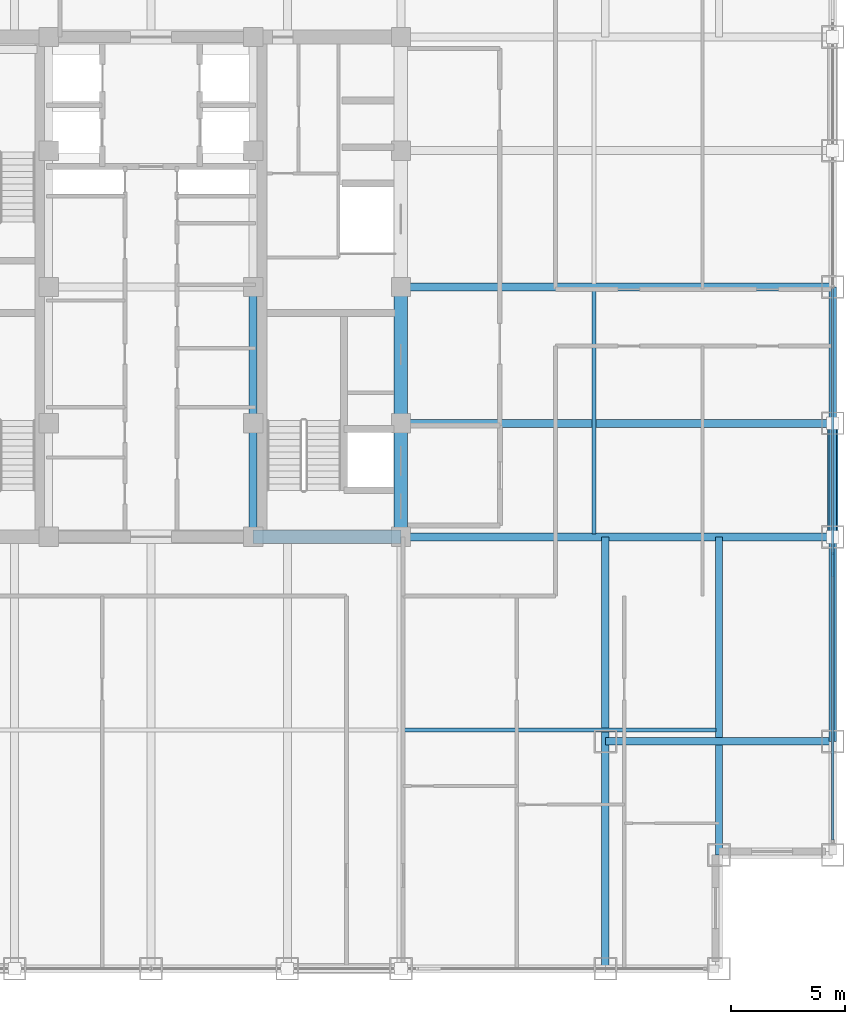
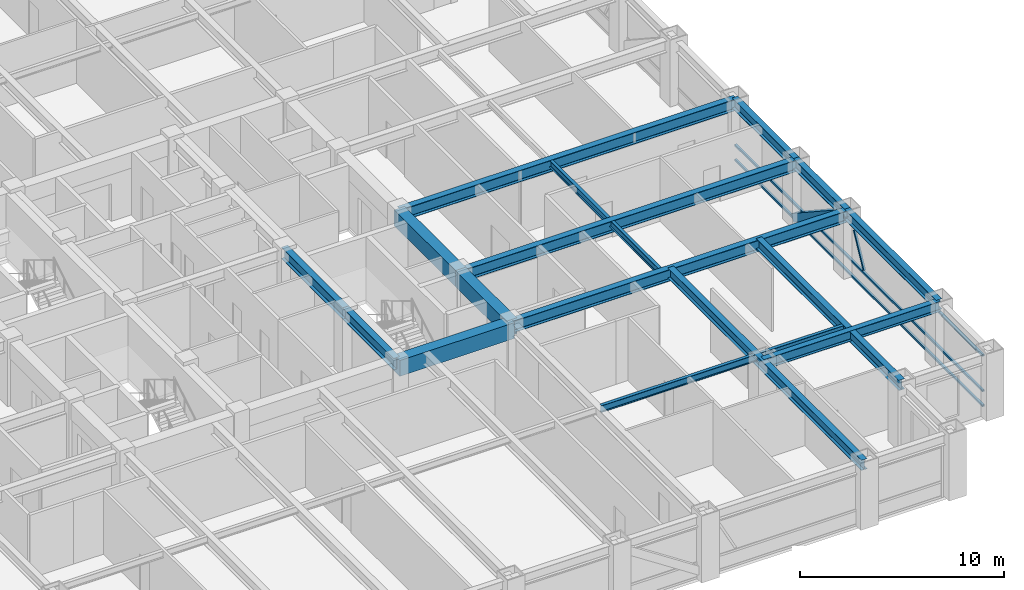
# One storey, part 9 of 25: 16 beams, 5 members, 1 element without a shape of its own.
"""IFC4 building model written with IfcOpenShell, lengths in metres."""

from ifc_helpers import new_model, si_unit, direction, frame, origin, origin_2d, place, context, subcontext, project, spatial, rectangle, hollow_rectangle, i_section, extrude, source, transform, mapped, material, material_profile, profile_set, type_object, element, aggregate, save


model = new_model("IFC4")

# Units and contexts
model_context = context("Model", 3, precision=1e-05, world=origin(), true_north=direction((0.0, 1.0)))
body_context = subcontext(model_context, "Body", "Model", "MODEL_VIEW")
ifc_project = project(units=[si_unit("LENGTHUNIT", "METRE"), si_unit("AREAUNIT", "SQUARE_METRE"), si_unit("VOLUMEUNIT", "CUBIC_METRE"), si_unit("PLANEANGLEUNIT", "RADIAN"), si_unit("MASSUNIT", "GRAM", prefix="KILO")], contexts=[model_context])

# Site, building, storey
site_placement = place(None, origin())
site = spatial("IfcSite", under=ifc_project, at=site_placement, CompositionType="ELEMENT")
building_placement = place(site_placement, origin())
building = spatial("IfcBuilding", under=site, at=building_placement, Name="Khorayat Bourse Tower", CompositionType="ELEMENT")
storey_placement = place(building_placement, frame((0.0, 0.0, 247.10009765625)))
storey = spatial("IfcBuildingStorey", under=building, at=storey_placement, Name="L58", CompositionType="ELEMENT", Elevation=247.10009765625)

# Beams
ifc_material_1 = material(Name="Steel ASTM A992 Grade 50", Category="steel")
ifc_material_profile_1 = material_profile(ifc_material_1, i_section(OverallWidth=0.35498046875, OverallDepth=0.695068359375, WebThickness=0.015380859375, FlangeThickness=0.02490234375, FilletRadius=0.01806640625, at=origin_2d()), Name="W690X217")
ifc_profile_set_1 = profile_set([ifc_material_profile_1], Name="Steel ASTM A992 Grade 50")
beam_type_1 = type_object("IfcBeamType", Name="BM-GIRD-690", PredefinedType="BEAM", material=ifc_profile_set_1)
shared_shape_1 = source(origin(), body_context, "Body", "SweptSolid", [
    extrude(i_section(OverallWidth=0.35498046875, OverallDepth=0.695068359375, WebThickness=0.015380859375, FlangeThickness=0.02490234375, FilletRadius=0.01806640625, at=origin_2d()), origin(), (0.0, 0.0, 1.0), 5.0),
])
beam_1_placement = place(storey_placement, frame((4.5, -11.0, 3.432373046875), z_axis=(0.0, 1.0, 0.0), x_axis=(-1.0, 0.0, 0.0)))
element("IfcBeam", 1, at=beam_1_placement, inside=storey, type_object=beam_type_1, Name="L58 BM-GIRD-690 BM-L58-CRX-09", PredefinedType="BEAM", context=body_context, shape_type="MappedRepresentation", body=[
    mapped(shared_shape_1, transform((0.0, 0.0, 0.0), scale=1.0)),
])
shared_shape_2 = source(origin(), body_context, "Body", "SweptSolid", [
    extrude(i_section(OverallWidth=0.35498046875, OverallDepth=0.695068359375, WebThickness=0.015380859375, FlangeThickness=0.02490234375, FilletRadius=0.01806640625, at=origin_2d()), origin(), (0.0, 0.0, 1.0), 6.0),
])
beam_2_placement = place(storey_placement, frame((4.5, -6.0, 3.432373046875), z_axis=(0.0, 1.0, 0.0), x_axis=(-1.0, 0.0, 0.0)))
element("IfcBeam", 2, at=beam_2_placement, inside=storey, type_object=beam_type_1, Name="L58 BM-GIRD-690 BM-L58-CRX-10", PredefinedType="BEAM", context=body_context, shape_type="MappedRepresentation", body=[
    mapped(shared_shape_2, transform((0.0, 0.0, 0.0), scale=1.0)),
])
ifc_material_profile_2 = material_profile(ifc_material_1, i_section(OverallWidth=0.324951171875, OverallDepth=0.615966796875, WebThickness=0.013916015625, FlangeThickness=0.021484375, FilletRadius=0.01611328125, at=origin_2d()), Name="W610X174")
ifc_profile_set_2 = profile_set([ifc_material_profile_2], Name="Steel ASTM A992 Grade 50")
beam_type_2 = type_object("IfcBeamType", Name="BM-GIRD-610", PredefinedType="BEAM", material=ifc_profile_set_2)
shared_shape_3 = source(origin(), body_context, "Body", "SweptSolid", [
    extrude(i_section(OverallWidth=0.324951171875, OverallDepth=0.615966796875, WebThickness=0.013916015625, FlangeThickness=0.021484375, FilletRadius=0.01611328125, at=origin_2d()), origin(), (0.0, 0.0, 1.0), 19.0),
])
beam_3_placement = place(storey_placement, frame((20.0, -30.0, 3.471923828125), z_axis=(0.0, 1.0, 0.0), x_axis=(-1.0, 0.0, 0.0)))
element("IfcBeam", 3, at=beam_3_placement, inside=storey, type_object=beam_type_2, Name="L58 BM-GIRD-610 BM-L58-CNRY-086", PredefinedType="BEAM", context=body_context, shape_type="MappedRepresentation", body=[
    mapped(shared_shape_3, transform((0.0, 0.0, 0.0), scale=1.0)),
])
shared_shape_4 = source(origin(), body_context, "Body", "SweptSolid", [
    extrude(i_section(OverallWidth=0.324951171875, OverallDepth=0.615966796875, WebThickness=0.013916015625, FlangeThickness=0.021484375, FilletRadius=0.01611328125, at=origin_2d()), origin(), (0.0, 0.0, 1.0), 10.0),
])
beam_4_placement = place(storey_placement, frame((20.0, -20.0, 3.471923828125), z_axis=(1.0, 0.0, 0.0), x_axis=(0.0, 1.0, 0.0)))
element("IfcBeam", 4, at=beam_4_placement, inside=storey, type_object=beam_type_2, Name="L58 BM-GIRD-610 BM-L58-CNRX-092", PredefinedType="BEAM", context=body_context, shape_type="MappedRepresentation", body=[
    mapped(shared_shape_4, transform((0.0, 0.0, 0.0), scale=1.0)),
])
ifc_material_profile_3 = material_profile(ifc_material_1, i_section(OverallWidth=0.180908203125, OverallDepth=0.4169921875, WebThickness=0.010986328125, FlangeThickness=0.018310546875, FilletRadius=0.011962890625, at=origin_2d()), Name="W410X85")
ifc_profile_set_3 = profile_set([ifc_material_profile_3], Name="Steel ASTM A992 Grade 50")
beam_type_3 = type_object("IfcBeamType", Name="BM-JOIST-410", PredefinedType="JOIST", material=ifc_profile_set_3)
shared_shape_5 = source(origin(), body_context, "Body", "SweptSolid", [
    extrude(i_section(OverallWidth=0.180908203125, OverallDepth=0.4169921875, WebThickness=0.010986328125, FlangeThickness=0.018310546875, FilletRadius=0.011962890625, at=origin_2d()), origin(), (0.0, 0.0, 1.0), 10.740234375),
])
beam_5_placement = place(storey_placement, frame((19.5, -10.8701171875, 3.5712890625), z_axis=(0.0, 1.0, 0.0), x_axis=(-1.0, 0.0, 0.0)))
element("IfcBeam", 5, at=beam_5_placement, inside=storey, type_object=beam_type_3, Name="L58 BM-JOIST-410 BM-L58-JSTY-104", PredefinedType="JOIST", context=body_context, shape_type="MappedRepresentation", body=[
    mapped(shared_shape_5, transform((0.0, 0.0, 0.0), scale=1.0)),
])
ifc_material_profile_4 = material_profile(ifc_material_1, i_section(OverallWidth=0.324951171875, OverallDepth=0.615966796875, WebThickness=0.013916015625, FlangeThickness=0.021484375, FilletRadius=0.01611328125, at=origin_2d()), Name="W610X174")
ifc_profile_set_4 = profile_set([ifc_material_profile_4], Name="Steel ASTM A992 Grade 50")
beam_type_4 = type_object("IfcBeamType", Name="BM-SPAN-610", PredefinedType="SPANDREL", material=ifc_profile_set_4)
shared_shape_6 = source(origin(), body_context, "Body", "SweptSolid", [
    extrude(i_section(OverallWidth=0.324951171875, OverallDepth=0.615966796875, WebThickness=0.013916015625, FlangeThickness=0.021484375, FilletRadius=0.01611328125, at=origin_2d()), origin(), (0.0, 0.0, 1.0), 9.0),
])
beam_6_placement = place(storey_placement, frame((30.0, -20.0, 3.471923828125), z_axis=(0.0, 1.0, 0.0), x_axis=(-1.0, 0.0, 0.0)))
element("IfcBeam", 6, at=beam_6_placement, inside=storey, type_object=beam_type_4, Name="L58 BM-SPAN-610 BM-L58-SPN-035", PredefinedType="SPANDREL", context=body_context, shape_type="MappedRepresentation", body=[
    mapped(shared_shape_6, transform((0.0, 0.0, 0.0), scale=1.0)),
])
shared_shape_7 = source(origin(), body_context, "Body", "SweptSolid", [
    extrude(i_section(OverallWidth=0.324951171875, OverallDepth=0.615966796875, WebThickness=0.013916015625, FlangeThickness=0.021484375, FilletRadius=0.01611328125, at=origin_2d()), origin(), (0.0, 0.0, 1.0), 5.0),
])
beam_7_placement = place(storey_placement, frame((30.0, -11.0, 3.471923828125), z_axis=(0.0, 1.0, 0.0), x_axis=(-1.0, 0.0, 0.0)))
element("IfcBeam", 7, at=beam_7_placement, inside=storey, type_object=beam_type_4, Name="L58 BM-SPAN-610 BM-L58-SPN-036", PredefinedType="SPANDREL", context=body_context, shape_type="MappedRepresentation", body=[
    mapped(shared_shape_7, transform((0.0, 0.0, 0.0), scale=1.0)),
])
shared_shape_8 = source(origin(), body_context, "Body", "SweptSolid", [
    extrude(i_section(OverallWidth=0.324951171875, OverallDepth=0.615966796875, WebThickness=0.013916015625, FlangeThickness=0.021484375, FilletRadius=0.01611328125, at=origin_2d()), origin(), (0.0, 0.0, 1.0), 6.0),
])
beam_8_placement = place(storey_placement, frame((30.0, -6.0, 3.471923828125), z_axis=(0.0, 1.0, 0.0), x_axis=(-1.0, 0.0, 0.0)))
element("IfcBeam", 8, at=beam_8_placement, inside=storey, type_object=beam_type_4, Name="L58 BM-SPAN-610 BM-L58-SPN-037", PredefinedType="SPANDREL", context=body_context, shape_type="MappedRepresentation", body=[
    mapped(shared_shape_8, transform((0.0, 0.0, 0.0), scale=1.0)),
])
ifc_material_2 = material(Name="Concrete C60/75", Category="concrete")
ifc_material_profile_5 = material_profile(ifc_material_2, rectangle(XDim=0.60009765625, YDim=0.949951171875, at=origin_2d()), Name="RC 600x950")
ifc_profile_set_5 = profile_set([ifc_material_profile_5], Name="Concrete C60/75")
beam_type_5 = type_object("IfcBeamType", Name="BM-COUP-950", PredefinedType="BEAM", material=ifc_profile_set_5)
shared_shape_9 = source(origin(), body_context, "Body", "SweptSolid", [
    extrude(rectangle(XDim=0.60009765625, YDim=0.949951171875, at=origin_2d()), origin(), (0.0, 0.0, 1.0), 5.0),
])
beam_9_placement = place(storey_placement, frame((11.0, -11.0, 3.304931640625), z_axis=(0.0, 1.0, 0.0), x_axis=(-1.0, 0.0, 0.0)))
element("IfcBeam", 9, at=beam_9_placement, inside=storey, type_object=beam_type_5, Name="L58 BM-COUP-950 BM-L58-CRX-13", PredefinedType="BEAM", context=body_context, shape_type="MappedRepresentation", body=[
    mapped(shared_shape_9, transform((0.0, 0.0, 0.0), scale=1.0)),
])
shared_shape_10 = source(origin(), body_context, "Body", "SweptSolid", [
    extrude(rectangle(XDim=0.60009765625, YDim=0.949951171875, at=origin_2d()), origin(), (0.0, 0.0, 1.0), 6.0),
])
beam_10_placement = place(storey_placement, frame((11.0, -6.0, 3.304931640625), z_axis=(0.0, 1.0, 0.0), x_axis=(-1.0, 0.0, 0.0)))
element("IfcBeam", 10, at=beam_10_placement, inside=storey, type_object=beam_type_5, Name="L58 BM-COUP-950 BM-L58-CRX-14", PredefinedType="BEAM", context=body_context, shape_type="MappedRepresentation", body=[
    mapped(shared_shape_10, transform((0.0, 0.0, 0.0), scale=1.0)),
])
shared_shape_11 = source(origin(), body_context, "Body", "SweptSolid", [
    extrude(rectangle(XDim=0.60009765625, YDim=0.949951171875, at=origin_2d()), origin(), (0.0, 0.0, 1.0), 6.5),
])
beam_11_placement = place(storey_placement, frame((4.5, -11.0, 3.304931640625), z_axis=(1.0, 0.0, 0.0), x_axis=(0.0, 1.0, 0.0)))
element("IfcBeam", 11, at=beam_11_placement, inside=storey, type_object=beam_type_5, Name="L58 BM-COUP-950 BM-L58-CRY-19", PredefinedType="BEAM", context=body_context, shape_type="MappedRepresentation", body=[
    mapped(shared_shape_11, transform((0.0, 0.0, 0.0), scale=1.0)),
])
shared_shape_12 = source(origin(), body_context, "Body", "SweptSolid", [
    extrude(i_section(OverallWidth=0.35498046875, OverallDepth=0.695068359375, WebThickness=0.015380859375, FlangeThickness=0.02490234375, FilletRadius=0.01806640625, at=origin_2d()), origin(), (0.0, 0.0, 1.0), 19.0),
])
for number, where, z_axis, x_axis, name in (
    (12, (11.0, -11.0, 3.432373046875), (1.0, 0.0, 0.0), (0.0, 1.0, 0.0), "L58 BM-GIRD-690 BM-L58-RADX-074"),
    (13, (11.0, -6.0, 3.432373046875), (1.0, 0.0, 0.0), (0.0, 1.0, 0.0), "L58 BM-GIRD-690 BM-L58-RADX-076"),
    (14, (11.0, 0.0, 3.432373046875), (1.0, 0.0, 0.0), (0.0, 1.0, 0.0), "L58 BM-GIRD-690 BM-L58-RADX-078"),
):
    element("IfcBeam", number, at=place(storey_placement, frame(where, z_axis=z_axis, x_axis=x_axis)), inside=storey, type_object=beam_type_1, Name=name, PredefinedType="BEAM", context=body_context, shape_type="MappedRepresentation", body=[
        mapped(shared_shape_12, transform((0.0, 0.0, 0.0), scale=1.0)),
    ])
shared_shape_13 = source(origin(), body_context, "Body", "SweptSolid", [
    extrude(i_section(OverallWidth=0.324951171875, OverallDepth=0.615966796875, WebThickness=0.013916015625, FlangeThickness=0.021484375, FilletRadius=0.01611328125, at=origin_2d()), origin(), (0.0, 0.0, 1.0), 14.0),
])
beam_12_placement = place(storey_placement, frame((25.0, -25.0, 3.471923828125), z_axis=(0.0, 1.0, 0.0), x_axis=(-1.0, 0.0, 0.0)))
element("IfcBeam", 15, at=beam_12_placement, inside=storey, type_object=beam_type_2, Name="L58 BM-GIRD-610 BM-L58-CNRY-090", PredefinedType="BEAM", context=body_context, shape_type="MappedRepresentation", body=[
    mapped(shared_shape_13, transform((0.0, 0.0, 0.0), scale=1.0)),
])
shared_shape_14 = source(origin(), body_context, "Body", "SweptSolid", [
    extrude(i_section(OverallWidth=0.180908203125, OverallDepth=0.4169921875, WebThickness=0.010986328125, FlangeThickness=0.018310546875, FilletRadius=0.011962890625, at=origin_2d()), origin(), (0.0, 0.0, 1.0), 13.740234375),
])
beam_13_placement = place(storey_placement, frame((11.1298828125, -19.5, 3.5712890625), z_axis=(1.0, 0.0, 0.0), x_axis=(0.0, 1.0, 0.0)))
element("IfcBeam", 16, at=beam_13_placement, inside=storey, type_object=beam_type_3, Name="L58 BM-JOIST-410 BM-L58-JSTX-098", PredefinedType="JOIST", context=body_context, shape_type="MappedRepresentation", body=[
    mapped(shared_shape_14, transform((0.0, 0.0, 0.0), scale=1.0)),
])

# Member
ifc_material_3 = material(Name="Steel EN 10025-4 S460M", Category="steel")
ifc_material_profile_6 = material_profile(ifc_material_3, hollow_rectangle(XDim=0.449951171875, YDim=0.449951171875, WallThickness=0.02490234375, at=origin_2d()), Name="HSS 450x450x25")
ifc_profile_set_6 = profile_set([ifc_material_profile_6], Name="Steel EN 10025-4 S460M")
member_type_1 = type_object("IfcMemberType", Name="MBR-TUBE-450", PredefinedType="BRACE", material=ifc_profile_set_6)
shared_shape_15 = source(origin(), body_context, "Body", "SweptSolid", [
    extrude(hollow_rectangle(XDim=0.449951171875, YDim=0.449951171875, WallThickness=0.02490234375, at=origin_2d()), origin(), (0.0, 0.0, 1.0), 5.979736328125),
])
member_1_placement = place(storey_placement, frame((30.0, -11.0, 3.52978515625), z_axis=(0.0, 0.836160261256, -0.548485202623), x_axis=(-1.0, 0.0, 0.0)))
element("IfcMember", 17, at=member_1_placement, inside=storey, type_object=member_type_1, Name="L58 Perimeter Tube Brace 07", PredefinedType="BRACE", context=body_context, shape_type="MappedRepresentation", body=[
    mapped(shared_shape_15, transform((0.0, 0.0, 0.0), scale=1.0)),
])

# Curtain wall, members
ifc_material_4 = material(Name="Aluminium EN AW-6063 T6", Category="aluminium")
curtain_wall_type = type_object("IfcCurtainWallType", Name="CW-SYS-03", PredefinedType="NOTDEFINED", material=ifc_material_4)
curtain_wall_placement = place(storey_placement, origin())
curtain_wall = element("IfcCurtainWall", 18, at=curtain_wall_placement, inside=storey, type_object=curtain_wall_type, Name="L58 Curtain Wall CW-L58-E1", PredefinedType="NOTDEFINED")
ifc_material_profile_7 = material_profile(ifc_material_4, hollow_rectangle(XDim=0.1201171875, YDim=0.1201171875, WallThickness=0.0048828125, at=origin_2d()), Name="ALU 120x120x5")
ifc_profile_set_7 = profile_set([ifc_material_profile_7], Name="Aluminium EN AW-6063 T6")
member_type_2 = type_object("IfcMemberType", Name="CWM-DIAG-120", PredefinedType="MULLION", material=ifc_profile_set_7)
shared_shape_16 = source(origin(), body_context, "Body", "SweptSolid", [
    extrude(hollow_rectangle(XDim=0.1201171875, YDim=0.1201171875, WallThickness=0.0048828125, at=origin_2d()), origin(), (0.0, 0.0, 1.0), 2.079345703125),
])
member_2_placement = place(storey_placement, frame((30.0, -12.67919921875, 1.08984375), z_axis=(0.0, 0.465760949701, 0.884910581773), x_axis=(-1.0, 0.0, 0.0)))
member_2 = element("IfcMember", 19, at=member_2_placement, type_object=member_type_2, Name="CW-L58-E1 Faceted Diagonal Mullion 1", PredefinedType="MULLION", context=body_context, shape_type="MappedRepresentation", body=[
    mapped(shared_shape_16, transform((0.0, 0.0, 0.0), scale=1.0)),
])
ifc_material_profile_8 = material_profile(ifc_material_4, hollow_rectangle(XDim=0.1201171875, YDim=0.1201171875, WallThickness=0.0048828125, at=origin_2d()), Name="ALU 120x120x5")
ifc_profile_set_8 = profile_set([ifc_material_profile_8], Name="Aluminium EN AW-6063 T6")
member_type_3 = type_object("IfcMemberType", Name="CWT-HORZ-120", PredefinedType="USERDEFINED", material=ifc_profile_set_8)
shared_shape_17 = source(origin(), body_context, "Body", "SweptSolid", [
    extrude(hollow_rectangle(XDim=0.1201171875, YDim=0.1201171875, WallThickness=0.0048828125, at=origin_2d()), origin(), (0.0, 0.0, 1.0), 24.27001953125),
])
member_3_placement = place(storey_placement, frame((30.0, -24.330078125, 0.059814453125), z_axis=(0.0, 1.0, 0.0), x_axis=(-1.0, 0.0, 0.0)))
member_3 = element("IfcMember", 20, at=member_3_placement, type_object=member_type_3, Name="CW-L58-E1 Horizontal Transom 1-1", ObjectType="TRANSOM", PredefinedType="USERDEFINED", context=body_context, shape_type="MappedRepresentation", body=[
    mapped(shared_shape_17, transform((0.0, 0.0, 0.0), scale=1.0)),
])
member_4_placement = place(storey_placement, frame((30.0, -24.330078125, 0.949951171875), z_axis=(0.0, 1.0, 0.0), x_axis=(-1.0, 0.0, 0.0)))
member_4 = element("IfcMember", 21, at=member_4_placement, type_object=member_type_3, Name="CW-L58-E1 Horizontal Transom 1-2", ObjectType="TRANSOM", PredefinedType="USERDEFINED", context=body_context, shape_type="MappedRepresentation", body=[
    mapped(shared_shape_17, transform((0.0, 0.0, 0.0), scale=1.0)),
])
member_5_placement = place(storey_placement, frame((30.0, -24.330078125, 3.06982421875), z_axis=(0.0, 1.0, 0.0), x_axis=(-1.0, 0.0, 0.0)))
member_5 = element("IfcMember", 22, at=member_5_placement, type_object=member_type_3, Name="CW-L58-E1 Horizontal Transom 1-3", ObjectType="TRANSOM", PredefinedType="USERDEFINED", context=body_context, shape_type="MappedRepresentation", body=[
    mapped(shared_shape_17, transform((0.0, 0.0, 0.0), scale=1.0)),
])
aggregate(curtain_wall, [member_3, member_4, member_5, member_2])

save(model, "model.ifc")
